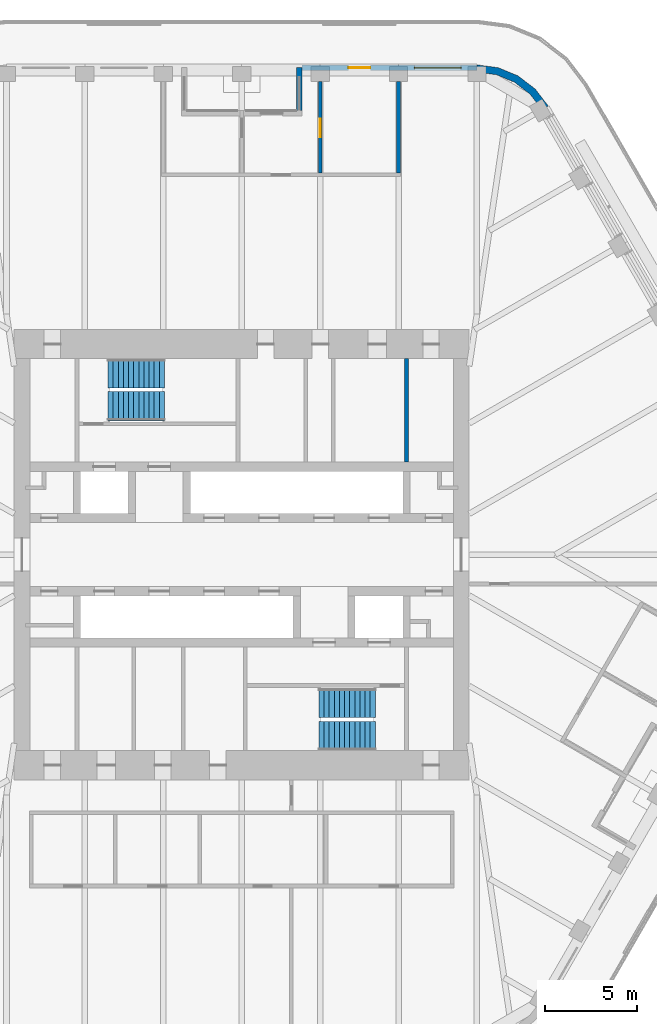
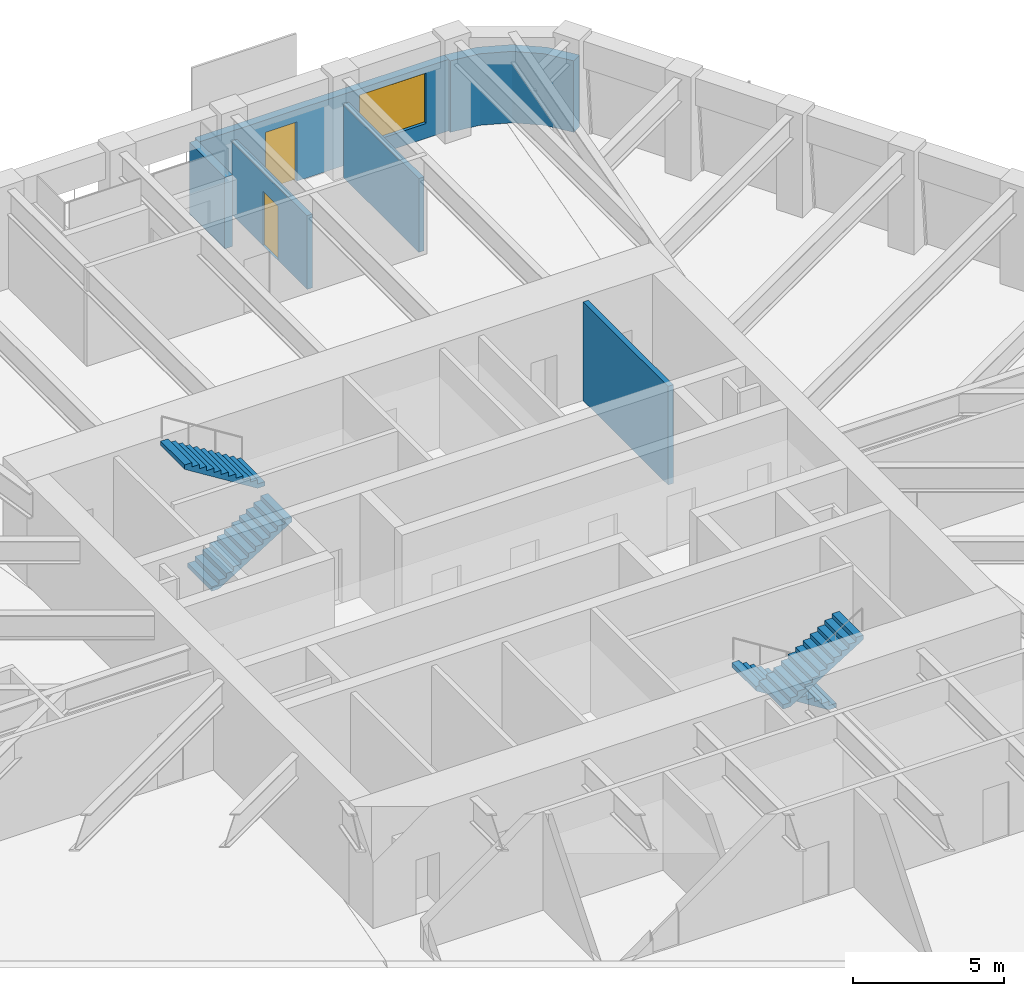
# One storey, part 16 of 19: 6 walls, 4 stair flights, 2 doors, 1 window, 3 openings, 2 elements without a shape of their own.
"""IFC4 building model written with IfcOpenShell, lengths in metres."""

from ifc_helpers import new_model, si_unit, direction, frame, frame_2d, origin, place, context, subcontext, project, spatial, polyline, rectangle, outline, extrude, material, layer, layer_set, type_object, element, fill, aggregate, save


model = new_model("IFC4")

# Units and contexts
model_context = context("Model", 3, precision=1e-05, world=origin(), true_north=direction((0.0, 1.0)))
body_context = subcontext(model_context, "Body", "Model", "MODEL_VIEW")
ifc_project = project(units=[si_unit("LENGTHUNIT", "METRE"), si_unit("AREAUNIT", "SQUARE_METRE"), si_unit("VOLUMEUNIT", "CUBIC_METRE"), si_unit("PLANEANGLEUNIT", "RADIAN"), si_unit("MASSUNIT", "GRAM", prefix="KILO")], contexts=[model_context])

# Site, building, storey
site_placement = place(None, origin())
site = spatial("IfcSite", under=ifc_project, at=site_placement, CompositionType="ELEMENT")
building_placement = place(site_placement, origin())
building = spatial("IfcBuilding", under=site, at=building_placement, Name="Tarfa Lantern Tower", CompositionType="ELEMENT")
storey_placement = place(building_placement, frame((0.0, 0.0, 332.5)))
storey = spatial("IfcBuildingStorey", under=building, at=storey_placement, Name="L75", CompositionType="ELEMENT", Elevation=332.5)

# Wall, openings, door, window
ifc_material_1 = material(Name="Limestone cladding on blockwork", Category="masonry")
ifc_layer_1 = layer(ifc_material_1, 0.300048828125)
ifc_layer_set_1 = layer_set([ifc_layer_1], Name="EW1 STONE-CLAD WALL 300")
wall_type_1 = type_object("IfcWallType", Name="EW1 STONE-CLAD WALL 300", PredefinedType="SOLIDWALL", material=ifc_layer_set_1)
wall_1_placement = place(storey_placement, frame((12.845947265625, 26.60009765625, 0.0), z_axis=(0.0, 0.0, 1.0), x_axis=(-1.0, 0.0, 0.0)))
wall_1 = element("IfcWall", 1, at=wall_1_placement, inside=storey, type_object=wall_type_1, Name="Stone wall N", PredefinedType="SOLIDWALL", context=body_context, shape_type="SweptSolid", body=[
    extrude(rectangle(XDim=9.56396484375, YDim=0.300048828125, at=frame_2d((4.781982421875, 0.0))), origin(), (0.0, 0.0, 1.0), 2.89990234375),
])
opening_1_placement = place(wall_1_placement, frame((0.865966796875, 0.0, 0.60009765625)))
opening_1 = element("IfcOpeningElement", 2, at=opening_1_placement, cuts=wall_1, Name="Opening W17", PredefinedType="OPENING", context=body_context, shape_type="SweptSolid", body=[
    extrude(rectangle(XDim=2.550048828125, YDim=2.050048828125, at=frame_2d((1.27490234375, 1.02490234375))), frame((0.0, 0.159912109375, 0.0), z_axis=(0.0, -1.0, 0.0), x_axis=(1.0, 0.0, 0.0)), (0.0, 0.0, 1.0), 0.320068359375),
])
opening_2_placement = place(wall_1_placement, frame((5.822998046875, 0.0, 0.0)))
opening_2 = element("IfcOpeningElement", 3, at=opening_2_placement, cuts=wall_1, Name="Opening D35", PredefinedType="OPENING", context=body_context, shape_type="SweptSolid", body=[
    extrude(rectangle(XDim=1.199951171875, YDim=2.39990234375, at=frame_2d((0.60009765625, 1.199951171875))), frame((0.0, 0.159912109375, 0.0), z_axis=(0.0, -1.0, 0.0), x_axis=(1.0, 0.0, 0.0)), (0.0, 0.0, 1.0), 0.320068359375),
])
ifc_material_2 = material(Name="Aluminium framed glazed door", Category="aluminium")
door_type_1 = type_object("IfcDoorType", Name="BE3 BALCONY DOOR 1200x2400", OperationType="SINGLE_SWING_RIGHT", PredefinedType="DOOR", material=ifc_material_2)
door_1_placement = place(opening_2_placement, origin())
door_1 = element("IfcDoor", 4, at=door_1_placement, inside=storey, type_object=door_type_1, Name="Balcony door N", OperationType="SINGLE_SWING_LEFT", OverallHeight=2.39990234375, OverallWidth=1.199951171875, PredefinedType="DOOR", context=body_context, shape_type="SweptSolid", body=[
    extrude(rectangle(XDim=1.199951171875, YDim=2.39990234375, at=frame_2d((0.60009765625, 1.199951171875))), frame((0.0, 0.02490234375, 0.0), z_axis=(0.0, -1.0, 0.0), x_axis=(1.0, 0.0, 0.0)), (0.0, 0.0, 1.0), 0.050048828125),
])
fill(opening_2, door_1)
ifc_material_3 = material(Name="Aluminium frame, double glazed", Category="aluminium")
window_type = type_object("IfcWindowType", Name="W17 FULL-HEIGHT GLAZING 2550x2050", PartitioningType="SINGLE_PANEL", PredefinedType="WINDOW", material=ifc_material_3)
window_placement = place(opening_1_placement, origin())
window = element("IfcWindow", 5, at=window_placement, inside=storey, type_object=window_type, Name="Window N 1", OverallHeight=2.050048828125, OverallWidth=2.550048828125, PartitioningType="SINGLE_PANEL", PredefinedType="WINDOW", context=body_context, shape_type="SweptSolid", body=[
    extrude(rectangle(XDim=2.550048828125, YDim=2.050048828125, at=frame_2d((1.27490234375, 1.02490234375))), frame((0.0, 0.030029296875, 0.0), z_axis=(0.0, -1.0, 0.0), x_axis=(1.0, 0.0, 0.0)), (0.0, 0.0, 1.0), 0.06005859375),
])
fill(opening_1, window)

# Walls
wall_2_placement = place(storey_placement, frame((3.132080078125, 26.60009765625, 0.0), z_axis=(0.0, 0.0, 1.0), x_axis=(0.0, -1.0, 0.0)))
element("IfcWall", 6, at=wall_2_placement, inside=storey, type_object=wall_type_1, Name="Terrace return N 1", PredefinedType="SOLIDWALL", context=body_context, shape_type="SweptSolid", body=[
    extrude(rectangle(XDim=2.35009765625, YDim=0.300048828125, at=frame_2d((1.175048828125, 0.0))), origin(), (0.0, 0.0, 1.0), 2.89990234375),
])
ifc_layer_2 = layer(ifc_material_1, 0.39990234375)
ifc_layer_set_2 = layer_set([ifc_layer_2], Name="EW2 CURVED STONE CORNER 400")
wall_type_2 = type_object("IfcWallType", Name="EW2 CURVED STONE CORNER 400", PredefinedType="SOLIDWALL", material=ifc_layer_set_2)
wall_3_placement = place(storey_placement, origin())
element("IfcWall", 7, at=wall_3_placement, inside=storey, type_object=wall_type_2, Name="Stone corner NE-N", PredefinedType="SOLIDWALL", context=body_context, shape_type="SweptSolid", body=[
    extrude(outline(polyline([(16.7431640625, 24.5), (16.028076171875, 25.431884765625), (15.095947265625, 26.147216796875), (14.0107421875, 26.5966796875), (12.845947265625, 26.75), (12.845947265625, 26.35009765625), (13.9072265625, 26.210205078125), (14.89599609375, 25.80078125), (15.7451171875, 25.149169921875), (16.396728515625, 24.300048828125), (16.7431640625, 24.5)])), origin(), (0.0, 0.0, 1.0), 2.89990234375),
])
ifc_material_4 = material(Name="Concrete blockwork", Category="masonry")
ifc_layer_3 = layer(ifc_material_4, 0.199951171875)
ifc_layer_set_3 = layer_set([ifc_layer_3], Name="IW1 BLOCKWORK PARTITION 200 EI 120")
wall_type_3 = type_object("IfcWallType", Name="IW1 BLOCKWORK PARTITION 200 EI 120", PredefinedType="PARTITIONING", material=ifc_layer_set_3)
wall_4_placement = place(storey_placement, frame((9.0, 5.050048828125, 0.0), z_axis=(0.0, 0.0, 1.0), x_axis=(0.0, 1.0, 0.0)))
element("IfcWall", 8, at=wall_4_placement, inside=storey, type_object=wall_type_3, Name="Core partition", PredefinedType="PARTITIONING", context=body_context, shape_type="SweptSolid", body=[
    extrude(rectangle(XDim=5.64990234375, YDim=0.199951171875, at=frame_2d((2.824951171875, 0.0))), origin(), (0.0, 0.0, 1.0), 4.0),
])
ifc_material_5 = material(Name="Gypsum board on steel studs", Category="steel")
ifc_layer_4 = layer(ifc_material_5, 0.2099609375)
ifc_layer_set_4 = layer_set([ifc_layer_4], Name="IW2 ACOUSTIC PARTITION 200")
wall_type_4 = type_object("IfcWallType", Name="IW2 ACOUSTIC PARTITION 200", PredefinedType="PARTITIONING", material=ifc_layer_set_4)
wall_5_placement = place(storey_placement, frame((8.56396484375, 20.85009765625, 0.0), z_axis=(0.0, 0.0, 1.0), x_axis=(0.0, 1.0, 0.0)))
element("IfcWall", 9, at=wall_5_placement, inside=storey, type_object=wall_type_4, Name="Partition", PredefinedType="PARTITIONING", context=body_context, shape_type="SweptSolid", body=[
    extrude(rectangle(XDim=5.0, YDim=0.199951171875, at=frame_2d((2.5, 0.0))), origin(), (0.0, 0.0, 1.0), 2.991943359375),
])

# Wall, opening, door
wall_6_placement = place(storey_placement, frame((4.281982421875, 20.85009765625, 0.0), z_axis=(0.0, 0.0, 1.0), x_axis=(0.0, 1.0, 0.0)))
wall_6 = element("IfcWall", 10, at=wall_6_placement, inside=storey, type_object=wall_type_4, Name="Partition", PredefinedType="PARTITIONING", context=body_context, shape_type="SweptSolid", body=[
    extrude(rectangle(XDim=5.0, YDim=0.199951171875, at=frame_2d((2.5, 0.0))), origin(), (0.0, 0.0, 1.0), 2.991943359375),
])
opening_3_placement = place(wall_6_placement, frame((1.949951171875, 0.0, 0.0)))
opening_3 = element("IfcOpeningElement", 11, at=opening_3_placement, cuts=wall_6, Name="Opening D21", PredefinedType="OPENING", context=body_context, shape_type="SweptSolid", body=[
    extrude(rectangle(XDim=1.0, YDim=2.199951171875, at=frame_2d((0.5, 1.10009765625))), frame((0.0, 0.10986328125, 0.0), z_axis=(0.0, -1.0, 0.0), x_axis=(1.0, 0.0, 0.0)), (0.0, 0.0, 1.0), 0.219970703125),
])
ifc_material_6 = material(Name="Timber door", Category="wood")
door_type_2 = type_object("IfcDoorType", Name="DR1 ROOM DOOR 1000x2200", OperationType="SINGLE_SWING_LEFT", PredefinedType="DOOR", material=ifc_material_6)
door_2_placement = place(opening_3_placement, origin())
door_2 = element("IfcDoor", 12, at=door_2_placement, inside=storey, type_object=door_type_2, Name="Executive office door", OperationType="SINGLE_SWING_RIGHT", OverallHeight=2.199951171875, OverallWidth=1.0, PredefinedType="DOOR", context=body_context, shape_type="SweptSolid", body=[
    extrude(rectangle(XDim=1.0, YDim=2.199951171875, at=frame_2d((0.5, 1.10009765625))), frame((0.0, 0.02490234375, 0.0), z_axis=(0.0, -1.0, 0.0), x_axis=(1.0, 0.0, 0.0)), (0.0, 0.0, 1.0), 0.050048828125),
])
fill(opening_3, door_2)

# Stair, stair flights
ifc_material_7 = material(Name="Concrete C40/50", Category="concrete")
stair_type = type_object("IfcStairType", Name="ST-T10 HALF-TURN STAIR 4200 RISE", PredefinedType="HALF_TURN_STAIR", material=ifc_material_7)
stair_1_placement = place(storey_placement, origin())
stair_1 = element("IfcStair", 13, at=stair_1_placement, inside=storey, type_object=stair_type, Name="Stair ST1", PredefinedType="HALF_TURN_STAIR")
stair_flight_type = type_object("IfcStairFlightType", Name="SF1 STAIR FLIGHT", PredefinedType="STRAIGHT", material=ifc_material_7)
stair_flight_1_placement = place(storey_placement, frame((-7.300048828125, 8.10009765625, 0.0), z_axis=(0.0, 0.0, 1.0), x_axis=(1.0, 0.0, 0.0)))
stair_flight_1 = element("IfcStairFlight", 14, at=stair_flight_1_placement, type_object=stair_flight_type, Name="ST1 flight 1", NumberOfRisers=12, NumberOfTreads=11, PredefinedType="STRAIGHT", RiserHeight=0.175, TreadLength=0.28, context=body_context, shape_type="SweptSolid", body=[
    extrude(outline(polyline([(0.0, 0.0), (0.0, 0.175048828125), (0.280029296875, 0.175048828125), (0.280029296875, 0.35009765625), (0.56005859375, 0.35009765625), (0.56005859375, 0.52490234375), (0.840087890625, 0.52490234375), (0.840087890625, 0.699951171875), (1.1201171875, 0.699951171875), (1.1201171875, 0.875), (1.39990234375, 0.875), (1.39990234375, 1.050048828125), (1.679931640625, 1.050048828125), (1.679931640625, 1.22509765625), (1.9599609375, 1.22509765625), (1.9599609375, 1.39990234375), (2.239990234375, 1.39990234375), (2.239990234375, 1.574951171875), (2.52001953125, 1.574951171875), (2.52001953125, 1.75), (2.800048828125, 1.75), (2.800048828125, 1.925048828125), (3.080078125, 1.925048828125), (3.080078125, 2.10009765625), (3.080078125, 1.748291015625), (0.28271484375, 0.0), (0.0, 0.0)])), frame((0.0, 0.800048828125, 0.0), z_axis=(0.0, -1.0, 0.0), x_axis=(1.0, 0.0, 0.0)), (0.0, 0.0, 1.0), 1.60009765625),
])
stair_flight_2_placement = place(storey_placement, frame((-4.219970703125, 9.89990234375, 2.10009765625), z_axis=(0.0, 0.0, 1.0), x_axis=(-1.0, 0.0, 0.0)))
stair_flight_2 = element("IfcStairFlight", 15, at=stair_flight_2_placement, type_object=stair_flight_type, Name="ST1 flight 2", NumberOfRisers=12, NumberOfTreads=11, PredefinedType="STRAIGHT", RiserHeight=0.175, TreadLength=0.28, context=body_context, shape_type="SweptSolid", body=[
    extrude(outline(polyline([(0.0, 0.0), (0.0, 0.175048828125), (0.280029296875, 0.175048828125), (0.280029296875, 0.35009765625), (0.56005859375, 0.35009765625), (0.56005859375, 0.52490234375), (0.840087890625, 0.52490234375), (0.840087890625, 0.699951171875), (1.1201171875, 0.699951171875), (1.1201171875, 0.875), (1.39990234375, 0.875), (1.39990234375, 1.050048828125), (1.679931640625, 1.050048828125), (1.679931640625, 1.22509765625), (1.9599609375, 1.22509765625), (1.9599609375, 1.39990234375), (2.239990234375, 1.39990234375), (2.239990234375, 1.574951171875), (2.52001953125, 1.574951171875), (2.52001953125, 1.75), (2.800048828125, 1.75), (2.800048828125, 1.925048828125), (3.080078125, 1.925048828125), (3.080078125, 2.10009765625), (3.080078125, 1.748291015625), (0.28271484375, 0.0), (0.0, 0.0)])), frame((0.0, 0.800048828125, 0.0), z_axis=(0.0, -1.0, 0.0), x_axis=(1.0, 0.0, 0.0)), (0.0, 0.0, 1.0), 1.60009765625),
])
aggregate(stair_1, [stair_flight_1, stair_flight_2])

stair_2_placement = place(storey_placement, origin())
stair_2 = element("IfcStair", 16, at=stair_2_placement, inside=storey, type_object=stair_type, Name="Stair ST2", PredefinedType="HALF_TURN_STAIR")
stair_flight_3_placement = place(storey_placement, frame((7.300048828125, -8.10009765625, 0.0), z_axis=(0.0, 0.0, 1.0), x_axis=(-1.0, 0.0, 0.0)))
stair_flight_3 = element("IfcStairFlight", 17, at=stair_flight_3_placement, type_object=stair_flight_type, Name="ST2 flight 1", NumberOfRisers=12, NumberOfTreads=11, PredefinedType="STRAIGHT", RiserHeight=0.175, TreadLength=0.28, context=body_context, shape_type="SweptSolid", body=[
    extrude(outline(polyline([(0.0, 0.0), (0.0, 0.175048828125), (0.280029296875, 0.175048828125), (0.280029296875, 0.35009765625), (0.56005859375, 0.35009765625), (0.56005859375, 0.52490234375), (0.840087890625, 0.52490234375), (0.840087890625, 0.699951171875), (1.1201171875, 0.699951171875), (1.1201171875, 0.875), (1.39990234375, 0.875), (1.39990234375, 1.050048828125), (1.679931640625, 1.050048828125), (1.679931640625, 1.22509765625), (1.9599609375, 1.22509765625), (1.9599609375, 1.39990234375), (2.239990234375, 1.39990234375), (2.239990234375, 1.574951171875), (2.52001953125, 1.574951171875), (2.52001953125, 1.75), (2.800048828125, 1.75), (2.800048828125, 1.925048828125), (3.080078125, 1.925048828125), (3.080078125, 2.10009765625), (3.080078125, 1.748291015625), (0.28271484375, 0.0), (0.0, 0.0)])), frame((0.0, 0.800048828125, 0.0), z_axis=(0.0, -1.0, 0.0), x_axis=(1.0, 0.0, 0.0)), (0.0, 0.0, 1.0), 1.60009765625),
])
stair_flight_4_placement = place(storey_placement, frame((4.219970703125, -9.89990234375, 2.10009765625), z_axis=(0.0, 0.0, 1.0), x_axis=(1.0, 0.0, 0.0)))
stair_flight_4 = element("IfcStairFlight", 18, at=stair_flight_4_placement, type_object=stair_flight_type, Name="ST2 flight 2", NumberOfRisers=12, NumberOfTreads=11, PredefinedType="STRAIGHT", RiserHeight=0.175, TreadLength=0.28, context=body_context, shape_type="SweptSolid", body=[
    extrude(outline(polyline([(0.0, 0.0), (0.0, 0.175048828125), (0.280029296875, 0.175048828125), (0.280029296875, 0.35009765625), (0.56005859375, 0.35009765625), (0.56005859375, 0.52490234375), (0.840087890625, 0.52490234375), (0.840087890625, 0.699951171875), (1.1201171875, 0.699951171875), (1.1201171875, 0.875), (1.39990234375, 0.875), (1.39990234375, 1.050048828125), (1.679931640625, 1.050048828125), (1.679931640625, 1.22509765625), (1.9599609375, 1.22509765625), (1.9599609375, 1.39990234375), (2.239990234375, 1.39990234375), (2.239990234375, 1.574951171875), (2.52001953125, 1.574951171875), (2.52001953125, 1.75), (2.800048828125, 1.75), (2.800048828125, 1.925048828125), (3.080078125, 1.925048828125), (3.080078125, 2.10009765625), (3.080078125, 1.748291015625), (0.28271484375, 0.0), (0.0, 0.0)])), frame((0.0, 0.800048828125, 0.0), z_axis=(0.0, -1.0, 0.0), x_axis=(1.0, 0.0, 0.0)), (0.0, 0.0, 1.0), 1.60009765625),
])
aggregate(stair_2, [stair_flight_3, stair_flight_4])

save(model, "model.ifc")
